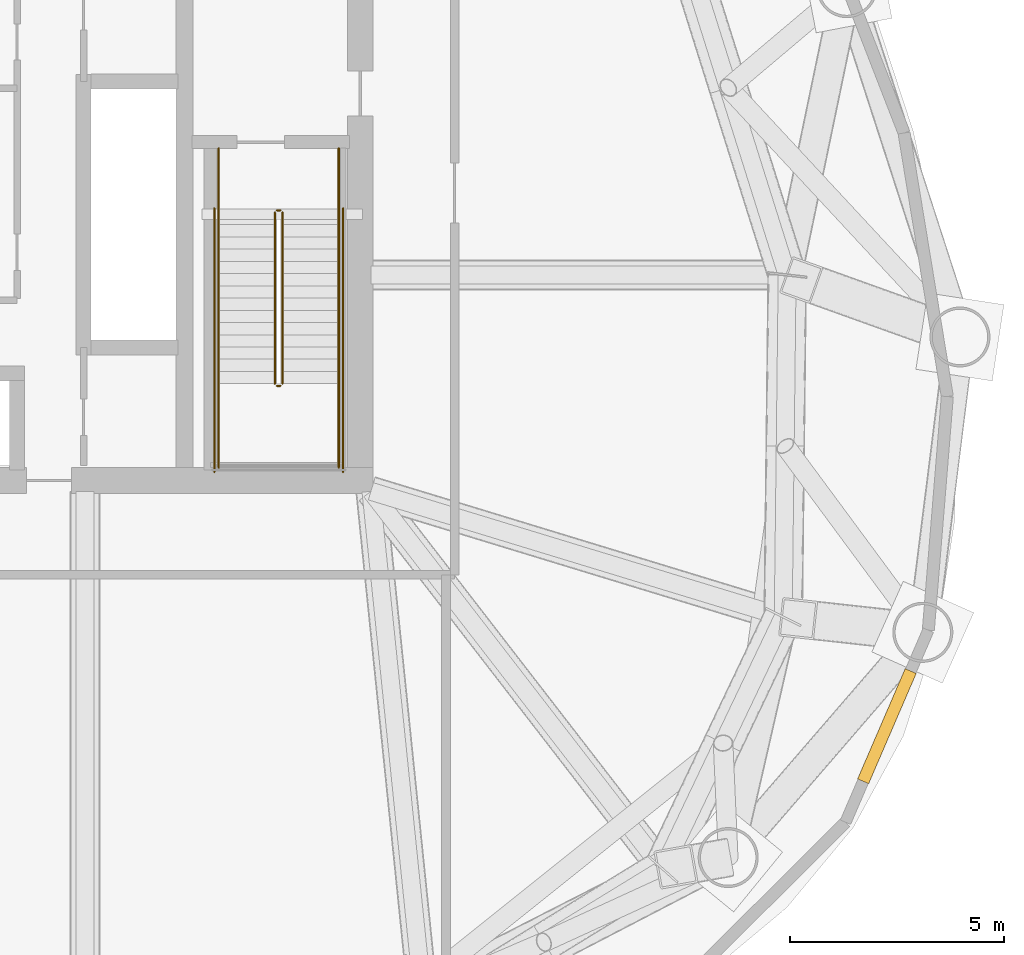
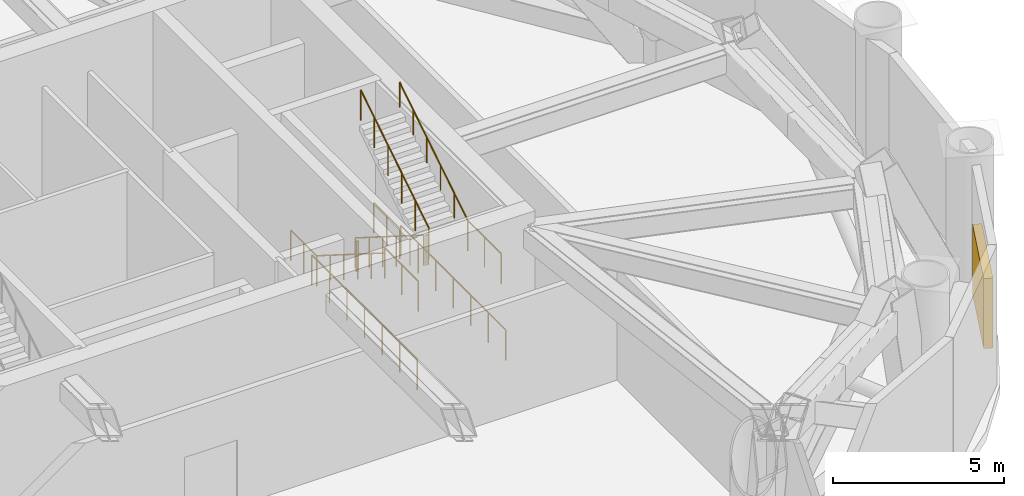
# One storey, part 9 of 10: 12 railings, 1 shading device.
"""IFC4 building model written with IfcOpenShell, lengths in metres."""

from ifc_helpers import new_model, si_unit, direction, frame, origin, origin_2d, place, context, subcontext, project, spatial, rectangle, circle, extrude, material, type_object, element, save


model = new_model("IFC4")

# Units and contexts
model_context = context("Model", 3, precision=1e-05, world=origin(), true_north=direction((0.0, 1.0)))
body_context = subcontext(model_context, "Body", "Model", "MODEL_VIEW")
ifc_project = project(units=[si_unit("LENGTHUNIT", "METRE"), si_unit("AREAUNIT", "SQUARE_METRE"), si_unit("VOLUMEUNIT", "CUBIC_METRE"), si_unit("PLANEANGLEUNIT", "RADIAN"), si_unit("MASSUNIT", "GRAM", prefix="KILO")], contexts=[model_context])

# Site, building, storey
site_placement = place(None, origin())
site = spatial("IfcSite", under=ifc_project, at=site_placement, CompositionType="ELEMENT")
building_placement = place(site_placement, origin())
building = spatial("IfcBuilding", under=site, at=building_placement, Name="Bramvorn Convention Spire", CompositionType="ELEMENT")
storey_placement = place(building_placement, frame((0.0, 0.0, 165.800048828125)))
storey = spatial("IfcBuildingStorey", under=building, at=storey_placement, Name="L42", CompositionType="ELEMENT", Elevation=165.800048828125)

# Railings
ifc_material_1 = material(Name="Painted Steel Balustrade & Guardrail", Category="steel")
railing_type_1 = type_object("IfcRailingType", Name="RL-STAIR-GUARD-1100", PredefinedType="GUARDRAIL", material=ifc_material_1)
railing_1_placement = place(storey_placement, frame((47.010009765625, 25.050048828125, 0.179931640625)))
element("IfcRailing", 1, at=railing_1_placement, inside=storey, type_object=railing_type_1, Name="L42 ST2 stair guard 1", PredefinedType="GUARDRAIL", context=body_context, shape_type="SweptSolid", body=[
    extrude(circle(Radius=0.02392578125, at=origin_2d()), frame((0.0, 0.0, 1.076171875), z_axis=(0.0, -0.845486444383, 0.533996884227), x_axis=(1.0, 0.0, 0.0)), (0.0, 0.0, 1.0), 4.71923828125),
    extrude(circle(Radius=0.02099609375, at=origin_2d()), origin(), (0.0, 0.0, 1.0), 1.052001953125),
    extrude(circle(Radius=0.02099609375, at=origin_2d()), frame((0.0, -0.798095703125, 0.50390625)), (0.0, 0.0, 1.0), 1.052001953125),
    extrude(circle(Radius=0.02099609375, at=origin_2d()), frame((0.0, -1.595947265625, 1.008056640625)), (0.0, 0.0, 1.0), 1.052001953125),
    extrude(circle(Radius=0.02099609375, at=origin_2d()), frame((0.0, -2.39404296875, 1.511962890625)), (0.0, 0.0, 1.0), 1.052001953125),
    extrude(circle(Radius=0.02099609375, at=origin_2d()), frame((0.0, -3.19189453125, 2.01611328125)), (0.0, 0.0, 1.0), 1.052001953125),
    extrude(circle(Radius=0.02099609375, at=origin_2d()), frame((0.0, -3.989990234375, 2.52001953125)), (0.0, 0.0, 1.0), 1.052001953125),
])
railing_2_placement = place(storey_placement, frame((47.06005859375, 21.010009765625, 2.699951171875)))
element("IfcRailing", 2, at=railing_2_placement, inside=storey, type_object=railing_type_1, Name="L42 ST2 stair guard 2", PredefinedType="GUARDRAIL", context=body_context, shape_type="SweptSolid", body=[
    extrude(circle(Radius=0.02392578125, at=origin_2d()), frame((0.0, 0.0, 1.076171875), z_axis=(1.0, 0.0, 0.0), x_axis=(0.0, 1.0, 0.0)), (0.0, 0.0, 1.0), 0.079833984375),
    extrude(circle(Radius=0.02099609375, at=origin_2d()), origin(), (0.0, 0.0, 1.0), 1.052001953125),
    extrude(circle(Radius=0.02099609375, at=origin_2d()), frame((0.079833984375, 0.0, 0.0)), (0.0, 0.0, 1.0), 1.052001953125),
])
for number, where, name in (
    (3, (45.699951171875, 21.06005859375, 2.699951171875), "L42 ST2 stair guard 3"),
    (4, (48.5, 21.06005859375, 2.699951171875), "L42 ST2 stair guard 4"),
):
    element("IfcRailing", number, at=place(storey_placement, frame(where)), inside=storey, type_object=railing_type_1, Name=name, PredefinedType="GUARDRAIL", context=body_context, shape_type="SweptSolid", body=[
        extrude(circle(Radius=0.02392578125, at=origin_2d()), frame((0.0, 0.0, 1.076171875), z_axis=(0.0, -1.0, 0.0), x_axis=(1.0, 0.0, 0.0)), (0.0, 0.0, 1.0), 1.9599609375),
        extrude(circle(Radius=0.02099609375, at=origin_2d()), origin(), (0.0, 0.0, 1.0), 1.052001953125),
        extrude(circle(Radius=0.02099609375, at=origin_2d()), frame((0.0, -0.97998046875, 0.0)), (0.0, 0.0, 1.0), 1.052001953125),
        extrude(circle(Radius=0.02099609375, at=origin_2d()), frame((0.0, -1.9599609375, 0.0)), (0.0, 0.0, 1.0), 1.052001953125),
    ])
railing_3_placement = place(storey_placement, frame((47.18994140625, 21.06005859375, 2.8798828125)))
element("IfcRailing", 5, at=railing_3_placement, inside=storey, type_object=railing_type_1, Name="L42 ST2 stair guard 6", PredefinedType="GUARDRAIL", context=body_context, shape_type="SweptSolid", body=[
    extrude(circle(Radius=0.02392578125, at=origin_2d()), frame((0.0, 0.0, 1.076171875), z_axis=(0.0, 0.845486444383, 0.533996884227), x_axis=(-1.0, 0.0, 0.0)), (0.0, 0.0, 1.0), 4.71923828125),
    extrude(circle(Radius=0.02099609375, at=origin_2d()), origin(), (0.0, 0.0, 1.0), 1.052001953125),
    extrude(circle(Radius=0.02099609375, at=origin_2d()), frame((0.0, 0.798095703125, 0.50390625)), (0.0, 0.0, 1.0), 1.052001953125),
    extrude(circle(Radius=0.02099609375, at=origin_2d()), frame((0.0, 1.595947265625, 1.008056640625)), (0.0, 0.0, 1.0), 1.052001953125),
    extrude(circle(Radius=0.02099609375, at=origin_2d()), frame((0.0, 2.39404296875, 1.511962890625)), (0.0, 0.0, 1.0), 1.052001953125),
    extrude(circle(Radius=0.02099609375, at=origin_2d()), frame((0.0, 3.19189453125, 2.01611328125)), (0.0, 0.0, 1.0), 1.052001953125),
    extrude(circle(Radius=0.02099609375, at=origin_2d()), frame((0.0, 3.989990234375, 2.52001953125)), (0.0, 0.0, 1.0), 1.052001953125),
])
railing_4_placement = place(storey_placement, frame((47.06005859375, 25.10009765625, 0.0)))
element("IfcRailing", 6, at=railing_4_placement, inside=storey, type_object=railing_type_1, Name="L42 ST2 stair guard 7", PredefinedType="GUARDRAIL", context=body_context, shape_type="SweptSolid", body=[
    extrude(circle(Radius=0.02392578125, at=origin_2d()), frame((0.0, 0.0, 1.076171875), z_axis=(1.0, 0.0, 0.0), x_axis=(0.0, 1.0, 0.0)), (0.0, 0.0, 1.0), 0.079833984375),
    extrude(circle(Radius=0.02099609375, at=origin_2d()), origin(), (0.0, 0.0, 1.0), 1.052001953125),
    extrude(circle(Radius=0.02099609375, at=origin_2d()), frame((0.079833984375, 0.0, 0.0)), (0.0, 0.0, 1.0), 1.052001953125),
])
for number, where, name in (
    (7, (45.699951171875, 26.550048828125, 0.0), "L42 ST2 stair guard 8"),
    (8, (48.5, 26.550048828125, 0.0), "L42 ST2 stair guard 9"),
):
    element("IfcRailing", number, at=place(storey_placement, frame(where)), inside=storey, type_object=railing_type_1, Name=name, PredefinedType="GUARDRAIL", context=body_context, shape_type="SweptSolid", body=[
        extrude(circle(Radius=0.02392578125, at=origin_2d()), frame((0.0, 0.0, 1.076171875), z_axis=(0.0, -1.0, 0.0), x_axis=(1.0, 0.0, 0.0)), (0.0, 0.0, 1.0), 1.5),
        extrude(circle(Radius=0.02099609375, at=origin_2d()), origin(), (0.0, 0.0, 1.0), 1.052001953125),
        extrude(circle(Radius=0.02099609375, at=origin_2d()), frame((0.0, -0.75, 0.0)), (0.0, 0.0, 1.0), 1.052001953125),
        extrude(circle(Radius=0.02099609375, at=origin_2d()), frame((0.0, -1.5, 0.0)), (0.0, 0.0, 1.0), 1.052001953125),
    ])
for number, where, name in (
    (9, (45.60009765625, 25.14990234375, 0.0), "L42 ST2 stair guard 10"),
    (10, (48.60009765625, 25.14990234375, 0.0), "L42 ST2 stair guard 11"),
):
    element("IfcRailing", number, at=place(storey_placement, frame(where)), inside=storey, type_object=railing_type_1, Name=name, PredefinedType="GUARDRAIL", context=body_context, shape_type="SweptSolid", body=[
        extrude(circle(Radius=0.02392578125, at=origin_2d()), frame((0.0, 0.0, 1.076171875), z_axis=(0.0, -1.0, 0.0), x_axis=(1.0, 0.0, 0.0)), (0.0, 0.0, 1.0), 6.14990234375),
        extrude(circle(Radius=0.02099609375, at=origin_2d()), origin(), (0.0, 0.0, 1.0), 1.052001953125),
        extrude(circle(Radius=0.02099609375, at=origin_2d()), frame((0.0, -1.02490234375, 0.0)), (0.0, 0.0, 1.0), 1.052001953125),
        extrude(circle(Radius=0.02099609375, at=origin_2d()), frame((0.0, -2.050048828125, 0.0)), (0.0, 0.0, 1.0), 1.052001953125),
        extrude(circle(Radius=0.02099609375, at=origin_2d()), frame((0.0, -3.074951171875, 0.0)), (0.0, 0.0, 1.0), 1.052001953125),
        extrude(circle(Radius=0.02099609375, at=origin_2d()), frame((0.0, -4.099853515625, 0.0)), (0.0, 0.0, 1.0), 1.052001953125),
        extrude(circle(Radius=0.02099609375, at=origin_2d()), frame((0.0, -5.125, 0.0)), (0.0, 0.0, 1.0), 1.052001953125),
        extrude(circle(Radius=0.02099609375, at=origin_2d()), frame((0.0, -6.14990234375, 0.0)), (0.0, 0.0, 1.0), 1.052001953125),
    ])
ifc_material_2 = material(Name="Brushed Bronze Tubular Handrail", Category="aluminium")
railing_type_2 = type_object("IfcRailingType", Name="RL-STAIR-HR-920", PredefinedType="HANDRAIL", material=ifc_material_2)
railing_5_placement = place(storey_placement, frame((45.699951171875, 25.050048828125, 0.179931640625)))
element("IfcRailing", 11, at=railing_5_placement, inside=storey, type_object=railing_type_2, Name="L42 ST2 stair handrail 1", PredefinedType="HANDRAIL", context=body_context, shape_type="SweptSolid", body=[
    extrude(circle(Radius=0.02392578125, at=origin_2d()), frame((0.0, 0.0, 0.89599609375), z_axis=(0.0, -0.845486444383, 0.533996884227), x_axis=(1.0, 0.0, 0.0)), (0.0, 0.0, 1.0), 4.71923828125),
    extrude(circle(Radius=0.02099609375, at=origin_2d()), origin(), (0.0, 0.0, 1.0), 0.871826171875),
    extrude(circle(Radius=0.02099609375, at=origin_2d()), frame((0.0, -0.798095703125, 0.50390625)), (0.0, 0.0, 1.0), 0.871826171875),
    extrude(circle(Radius=0.02099609375, at=origin_2d()), frame((0.0, -1.595947265625, 1.008056640625)), (0.0, 0.0, 1.0), 0.871826171875),
    extrude(circle(Radius=0.02099609375, at=origin_2d()), frame((0.0, -2.39404296875, 1.511962890625)), (0.0, 0.0, 1.0), 0.871826171875),
    extrude(circle(Radius=0.02099609375, at=origin_2d()), frame((0.0, -3.19189453125, 2.01611328125)), (0.0, 0.0, 1.0), 0.871826171875),
    extrude(circle(Radius=0.02099609375, at=origin_2d()), frame((0.0, -3.989990234375, 2.52001953125)), (0.0, 0.0, 1.0), 0.871826171875),
])
railing_6_placement = place(storey_placement, frame((48.5, 21.06005859375, 2.8798828125)))
element("IfcRailing", 12, at=railing_6_placement, inside=storey, type_object=railing_type_2, Name="L42 ST2 stair handrail 2", PredefinedType="HANDRAIL", context=body_context, shape_type="SweptSolid", body=[
    extrude(circle(Radius=0.02392578125, at=origin_2d()), frame((0.0, 0.0, 0.89599609375), z_axis=(0.0, 0.845486444383, 0.533996884227), x_axis=(-1.0, 0.0, 0.0)), (0.0, 0.0, 1.0), 4.71923828125),
    extrude(circle(Radius=0.02099609375, at=origin_2d()), origin(), (0.0, 0.0, 1.0), 0.871826171875),
    extrude(circle(Radius=0.02099609375, at=origin_2d()), frame((0.0, 0.798095703125, 0.50390625)), (0.0, 0.0, 1.0), 0.871826171875),
    extrude(circle(Radius=0.02099609375, at=origin_2d()), frame((0.0, 1.595947265625, 1.008056640625)), (0.0, 0.0, 1.0), 0.871826171875),
    extrude(circle(Radius=0.02099609375, at=origin_2d()), frame((0.0, 2.39404296875, 1.511962890625)), (0.0, 0.0, 1.0), 0.871826171875),
    extrude(circle(Radius=0.02099609375, at=origin_2d()), frame((0.0, 3.19189453125, 2.01611328125)), (0.0, 0.0, 1.0), 0.871826171875),
    extrude(circle(Radius=0.02099609375, at=origin_2d()), frame((0.0, 3.989990234375, 2.52001953125)), (0.0, 0.0, 1.0), 0.871826171875),
])

# Shading device
ifc_material_3 = material(Name="Acoustic Storm-Proof Anodised Bronze Aluminium Louvre", Category="aluminium")
shading_device_type = type_object("IfcShadingDeviceType", Name="SHD-LOUVRE-PLANT", PredefinedType="JALOUSIE", material=ifc_material_3)
shading_device_placement = place(storey_placement, frame((61.2802734375, 13.07373046875, 0.550048828125), z_axis=(0.0, 0.0, 1.0), x_axis=(-0.396078906709, -0.918216477559, 0.0)))
element("IfcShadingDevice", 13, at=shading_device_placement, inside=storey, type_object=shading_device_type, Name="L42 plant intake/exhaust acoustic louvre 01", PredefinedType="JALOUSIE", context=body_context, shape_type="SweptSolid", body=[
    extrude(rectangle(XDim=2.800048828125, YDim=0.280029296875, at=origin_2d()), origin(), (0.0, 0.0, 1.0), 2.5),
])

save(model, "model.ifc")
